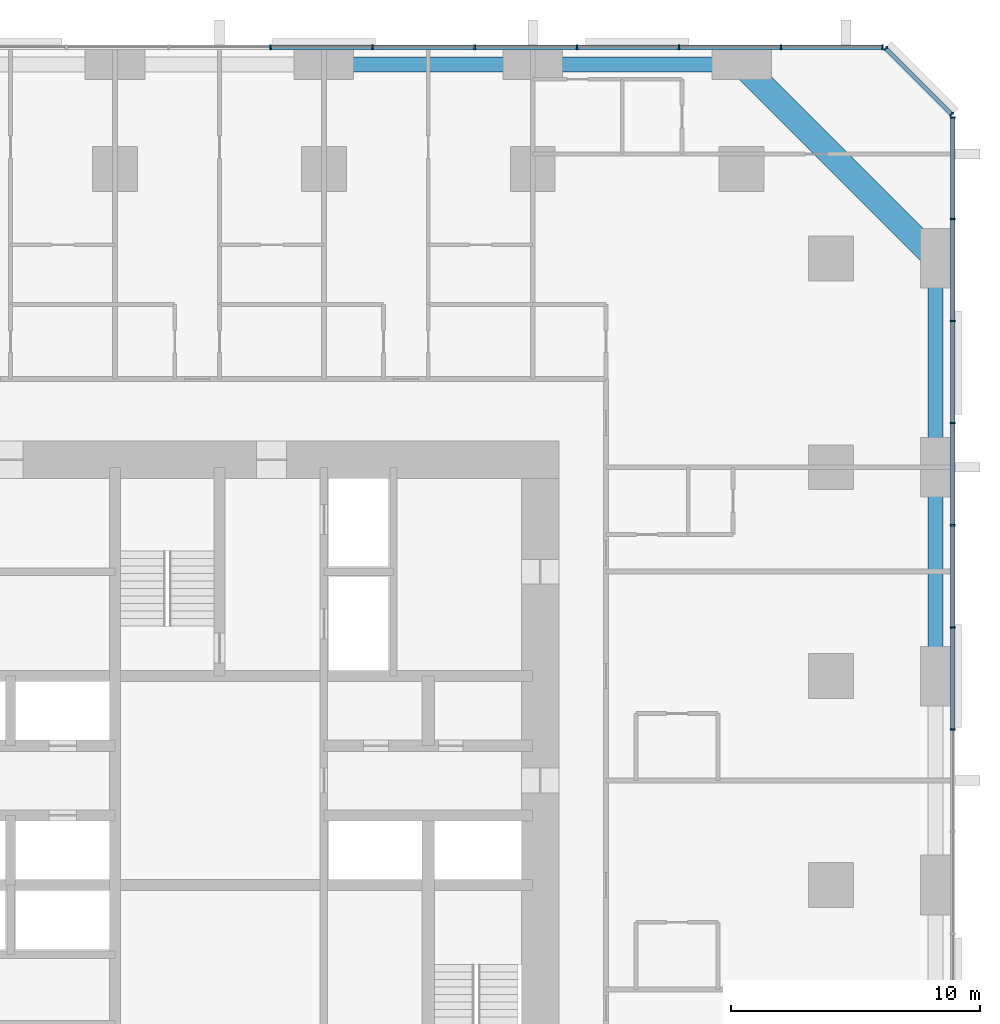
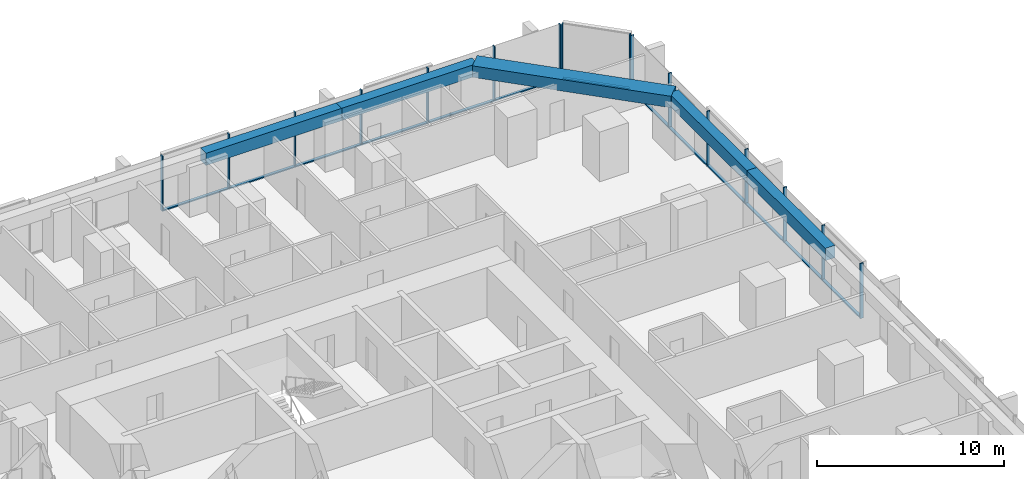
# One storey, part 8 of 17: 29 members, 5 beams, 3 elements without a shape of their own.
"""IFC4 building model written with IfcOpenShell, lengths in metres."""

import ifcopenshell
import ifcopenshell.guid

model = None  # the IFC model being written
_history = None  # IfcOwnerHistory: only IFC2X3 demands one
_inside = {}  # id of a spatial element -> (the spatial element, [elements in it])
_under = {}  # id of a project, library or spatial element -> (it, [spatial elements below it])
_declared = {}  # id of a project -> (the project, [libraries it declares])
_typed = {}  # id of a type object -> (the type object, [elements of that type])
_made_of = {}  # id of a material, layer set ... -> (it, [elements and type objects made of it])


def new_model(schema):
    """Start an empty IFC model of exactly this schema.

    Asked for "IFC4X3", IfcOpenShell would pick the latest addendum, in which some entities
    have other attributes; the version numbers below select the first issue.
    IFC2X3 requires an IfcOwnerHistory on every rooted entity: one is made here for all.
    """
    global model, _history
    if schema == "IFC4X3":
        model = ifcopenshell.file(schema_version=(4, 3, 0, 0))
    else:
        model = ifcopenshell.file(schema=schema)
    _inside.clear()
    _under.clear()
    _declared.clear()
    _typed.clear()
    _made_of.clear()
    _history = None
    if model.schema == "IFC2X3":
        org = make("IfcOrganization", Name="unknown")
        user = make(
            "IfcPersonAndOrganization",
            ThePerson=make("IfcPerson", FamilyName="unknown"),
            TheOrganization=org,
        )
        app = make(
            "IfcApplication",
            ApplicationDeveloper=org,
            Version="unknown",
            ApplicationFullName="unknown",
            ApplicationIdentifier="unknown",
        )
        _history = make(
            "IfcOwnerHistory",
            OwningUser=user,
            OwningApplication=app,
            ChangeAction="ADDED",
            CreationDate=0,
        )
    return model


def make(cls, **values):
    """One entity of the class cls with the attributes given. An attribute that is None is left unset."""
    return model.create_entity(
        cls, **{name: value for name, value in values.items() if value is not None}
    )


def rooted(cls, **values):
    """An entity with a GlobalId (a new one), such as an element, a storey or a relation."""
    return make(cls, GlobalId=ifcopenshell.guid.new(), OwnerHistory=_history, **values)


def si_unit(unit_type, name, prefix=None):
    """IfcSIUnit, for example si_unit("LENGTHUNIT", "METRE", prefix="MILLI")."""
    return make("IfcSIUnit", UnitType=unit_type, Prefix=prefix, Name=name)


def assignment(units):
    """IfcUnitAssignment: the units of a project."""
    return None if units is None else make("IfcUnitAssignment", Units=units)


def point(xyz):
    """IfcCartesianPoint."""
    return None if xyz is None else make("IfcCartesianPoint", Coordinates=xyz)


def direction(xyz):
    """IfcDirection."""
    return None if xyz is None else make("IfcDirection", DirectionRatios=xyz)


def frame(location, z_axis=None, x_axis=None):
    """IfcAxis2Placement3D, a coordinate frame: its origin and axes. An axis left out is left unset."""
    return make(
        "IfcAxis2Placement3D",
        Location=point(location),
        Axis=direction(z_axis),
        RefDirection=direction(x_axis),
    )


def frame_2d(location, x_axis=None):
    """IfcAxis2Placement2D, a coordinate frame in the plane: its origin and x axis."""
    return make(
        "IfcAxis2Placement2D", Location=point(location), RefDirection=direction(x_axis)
    )


def origin():
    """The frame at (0, 0, 0) with its axes left unset."""
    return frame((0.0, 0.0, 0.0))


def origin_2d():
    """The frame at (0, 0) in the plane with its x axis left unset."""
    return frame_2d((0.0, 0.0))


def place(relative_to, where):
    """IfcLocalPlacement: puts the frame where relative to a parent placement (None: the world)."""
    return make(
        "IfcLocalPlacement", PlacementRelTo=relative_to, RelativePlacement=where
    )


def context(
    kind, dimensions, precision=None, world=None, true_north=None, identifier=None
):
    """IfcGeometricRepresentationContext, for example the 3D "Model" context."""
    return make(
        "IfcGeometricRepresentationContext",
        ContextIdentifier=identifier,
        ContextType=kind,
        CoordinateSpaceDimension=dimensions,
        Precision=precision,
        WorldCoordinateSystem=world,
        TrueNorth=true_north,
    )


def subcontext(parent, identifier, kind, view, scale=None):
    """IfcGeometricRepresentationSubContext, for example "Body" below "Model"."""
    return make(
        "IfcGeometricRepresentationSubContext",
        ContextIdentifier=identifier,
        ContextType=kind,
        ParentContext=parent,
        TargetScale=scale,
        TargetView=view,
    )


def project(units=None, contexts=None):
    """IfcProject with its units and contexts."""
    return rooted(
        "IfcProject",
        Name="project",
        RepresentationContexts=contexts,
        UnitsInContext=assignment(units),
    )


def spatial(cls, under=None, at=None, **own):
    """A site, building, storey or space (cls), placed at a placement, below another one or the project."""
    s = rooted(cls, ObjectPlacement=at, **own)
    if under is not None:
        _under.setdefault(under.id(), (under, []))[1].append(s)
    return s


def profile(cls, at=None, kind="AREA", **sizes):
    """A parametric profile (cls). Its sizes go by their IFC names, for example OverallWidth=200.0."""
    return make(cls, ProfileType=kind, Position=at, **sizes)


def rectangle(**sizes):
    """IfcRectangleProfileDef."""
    return profile("IfcRectangleProfileDef", **sizes)


def extrude(swept, where, along, depth):
    """IfcExtrudedAreaSolid: the profile swept, set in the frame where, extruded along a direction by depth."""
    return make(
        "IfcExtrudedAreaSolid",
        SweptArea=swept,
        Position=where,
        ExtrudedDirection=direction(along),
        Depth=depth,
    )


def shape(context_of_items, identifier, shape_type, items):
    """IfcShapeRepresentation: the items that make up one representation, for example the "Body"."""
    return make(
        "IfcShapeRepresentation",
        ContextOfItems=context_of_items,
        RepresentationIdentifier=identifier,
        RepresentationType=shape_type,
        Items=items,
    )


def material(Name=None, Category=None):
    """IfcMaterial."""
    return make("IfcMaterial", Name=Name, Category=Category)


def material_profile(
    of_material, cross_section, Name=None, Category=None, Priority=None
):
    """IfcMaterialProfile: a cross section and its material."""
    return make(
        "IfcMaterialProfile",
        Name=Name,
        Material=of_material,
        Profile=cross_section,
        Priority=Priority,
        Category=Category,
    )


def profile_set(profiles, Name=None, composite=None):
    """IfcMaterialProfileSet."""
    return make(
        "IfcMaterialProfileSet",
        Name=Name,
        MaterialProfiles=profiles,
        CompositeProfile=composite,
    )


def made_of(thing, what):
    """Note that an element or type object is made of a material, layer set ...; save() writes the relation."""
    if what is not None:
        _made_of.setdefault(what.id(), (what, []))[1].append(thing)
    return thing


def type_object(cls, material=None, **own):
    """A type object (cls), such as IfcWallType, which elements share."""
    return made_of(rooted(cls, **own), material)


def element(
    cls,
    number,
    at=None,
    inside=None,
    cuts=None,
    type_object=None,
    material=None,
    context=None,
    identifier="Body",
    shape_type=None,
    held_by="IfcProductDefinitionShape",
    body=None,
    shapes=None,
    **own,
):
    """One element of the class cls, such as IfcWall. Its Tag is "e" and its number.

    at: its placement. inside: the storey or other place that contains it. cuts: it is an
    opening in that element (IfcRelVoidsElement). A single representation is given by context,
    identifier, shape_type and body (its items); several are given by shapes. held_by: the class
    of the entity that holds the representations. save() writes the other relations.
    """
    e = rooted(cls, Tag="e%d" % number, ObjectPlacement=at, **own)
    if body is not None:
        shapes = [shape(context, identifier, shape_type, body)]
    if shapes is not None:
        e.Representation = make(held_by, Representations=shapes)
    if inside is not None:
        _inside.setdefault(inside.id(), (inside, []))[1].append(e)
    if cuts is not None:
        rooted(
            "IfcRelVoidsElement", RelatingBuildingElement=cuts, RelatedOpeningElement=e
        )
    if type_object is not None:
        _typed.setdefault(type_object.id(), (type_object, []))[1].append(e)
    return made_of(e, material)


def aggregate(whole, parts):
    """IfcRelAggregates: a whole, such as a stair, and the parts it consists of."""
    return rooted("IfcRelAggregates", RelatingObject=whole, RelatedObjects=parts)


def save(model, path):
    """Write the relations noted so far, then the file.

    IfcRelAggregates (storeys below a building ...), IfcRelContainedInSpatialStructure (elements
    in a storey), IfcRelDefinesByType, IfcRelAssociatesMaterial and IfcRelDeclares: one each for
    every whole, place, type object, material and project.
    """
    for whole, parts in _under.values():
        aggregate(whole, parts)
    for where, things in _inside.values():
        rooted(
            "IfcRelContainedInSpatialStructure",
            RelatedElements=things,
            RelatingStructure=where,
        )
    for kind, things in _typed.values():
        rooted("IfcRelDefinesByType", RelatedObjects=things, RelatingType=kind)
    for what, things in _made_of.values():
        rooted("IfcRelAssociatesMaterial", RelatedObjects=things, RelatingMaterial=what)
    for by, libraries in _declared.values():
        rooted("IfcRelDeclares", RelatingContext=by, RelatedDefinitions=libraries)
    model.write(path)


model = new_model("IFC4")

# Units and contexts
model_context = context("Model", 3, precision=1e-05, world=origin(), true_north=direction((0.0, 1.0)))
body_context = subcontext(model_context, "Body", "Model", "MODEL_VIEW")
ifc_project = project(units=[si_unit("LENGTHUNIT", "METRE"), si_unit("AREAUNIT", "SQUARE_METRE"), si_unit("VOLUMEUNIT", "CUBIC_METRE"), si_unit("PLANEANGLEUNIT", "RADIAN"), si_unit("MASSUNIT", "GRAM", prefix="KILO")], contexts=[model_context])

# Site, building, storey
site_placement = place(None, origin())
site = spatial("IfcSite", under=ifc_project, at=site_placement, CompositionType="ELEMENT")
building_placement = place(site_placement, origin())
building = spatial("IfcBuilding", under=site, at=building_placement, Name="Dunama Terrace Hotel", CompositionType="ELEMENT")
storey_placement = place(building_placement, frame((0.0, 0.0, 52.199951171875)))
storey = spatial("IfcBuildingStorey", under=building, at=storey_placement, Name="L12", CompositionType="ELEMENT", Elevation=52.199951171875)

# Curtain wall, members
ifc_material_1 = material(Name="Aluminium curtain wall system", Category="aluminium")
curtain_wall_type = type_object("IfcCurtainWallType", Name="Unitised fritted glass wall CW-A", PredefinedType="NOTDEFINED", material=ifc_material_1)
curtain_wall_1_placement = place(storey_placement, origin())
curtain_wall_1 = element("IfcCurtainWall", 1, at=curtain_wall_1_placement, inside=storey, type_object=curtain_wall_type, Name="Unitised fritted glass wall CW-A L12", PredefinedType="NOTDEFINED")
ifc_material_2 = material(Name="Aluminium mullion", Category="aluminium")
ifc_material_profile_1 = material_profile(ifc_material_2, rectangle(XDim=0.06494140625, YDim=0.199951171875, at=origin_2d()), Name="CWA MULLION 65X200")
ifc_profile_set_1 = profile_set([ifc_material_profile_1], Name="Aluminium mullion")
member_type_1 = type_object("IfcMemberType", Name="CWA mullion 65x200", PredefinedType="MULLION", material=ifc_profile_set_1)
member_1_placement = place(storey_placement, frame((58.89990234375, 31.4541015625, 0.0), z_axis=(0.0, 0.0, 1.0), x_axis=(0.0, 1.0, 0.0)))
member_1 = element("IfcMember", 2, at=member_1_placement, type_object=member_type_1, Name="CWA mullion", PredefinedType="MULLION", context=body_context, shape_type="SweptSolid", body=[
    extrude(rectangle(XDim=0.06494140625, YDim=0.199951171875, at=origin_2d()), origin(), (0.0, 0.0, 1.0), 3.60009765625),
])
member_2_placement = place(storey_placement, frame((58.89990234375, 35.56201171875, 0.0), z_axis=(0.0, 0.0, 1.0), x_axis=(0.0, 1.0, 0.0)))
member_2 = element("IfcMember", 3, at=member_2_placement, type_object=member_type_1, Name="CWA mullion", PredefinedType="MULLION", context=body_context, shape_type="SweptSolid", body=[
    extrude(rectangle(XDim=0.06494140625, YDim=0.199951171875, at=origin_2d()), origin(), (0.0, 0.0, 1.0), 3.60009765625),
])
member_3_placement = place(storey_placement, frame((58.89990234375, 39.6689453125, 0.0), z_axis=(0.0, 0.0, 1.0), x_axis=(0.0, 1.0, 0.0)))
member_3 = element("IfcMember", 4, at=member_3_placement, type_object=member_type_1, Name="CWA mullion", PredefinedType="MULLION", context=body_context, shape_type="SweptSolid", body=[
    extrude(rectangle(XDim=0.06494140625, YDim=0.199951171875, at=origin_2d()), origin(), (0.0, 0.0, 1.0), 3.60009765625),
])
member_4_placement = place(storey_placement, frame((58.89990234375, 43.777099609375, 0.0), z_axis=(0.0, 0.0, 1.0), x_axis=(0.0, 1.0, 0.0)))
member_4 = element("IfcMember", 5, at=member_4_placement, type_object=member_type_1, Name="CWA mullion", PredefinedType="MULLION", context=body_context, shape_type="SweptSolid", body=[
    extrude(rectangle(XDim=0.06494140625, YDim=0.199951171875, at=origin_2d()), origin(), (0.0, 0.0, 1.0), 3.60009765625),
])
member_5_placement = place(storey_placement, frame((58.89990234375, 47.885009765625, 0.0), z_axis=(0.0, 0.0, 1.0), x_axis=(0.0, 1.0, 0.0)))
member_5 = element("IfcMember", 6, at=member_5_placement, type_object=member_type_1, Name="CWA mullion", PredefinedType="MULLION", context=body_context, shape_type="SweptSolid", body=[
    extrude(rectangle(XDim=0.06494140625, YDim=0.199951171875, at=origin_2d()), origin(), (0.0, 0.0, 1.0), 3.60009765625),
])
member_6_placement = place(storey_placement, frame((58.89990234375, 51.991943359375, 0.0), z_axis=(0.0, 0.0, 1.0), x_axis=(0.0, 1.0, 0.0)))
member_6 = element("IfcMember", 7, at=member_6_placement, type_object=member_type_1, Name="CWA mullion", PredefinedType="MULLION", context=body_context, shape_type="SweptSolid", body=[
    extrude(rectangle(XDim=0.06494140625, YDim=0.199951171875, at=origin_2d()), origin(), (0.0, 0.0, 1.0), 3.60009765625),
])
member_7_placement = place(storey_placement, frame((58.89990234375, 56.06689453125, 0.0), z_axis=(0.0, 0.0, 1.0), x_axis=(0.0, 1.0, 0.0)))
member_7 = element("IfcMember", 8, at=member_7_placement, type_object=member_type_1, Name="CWA mullion", PredefinedType="MULLION", context=body_context, shape_type="SweptSolid", body=[
    extrude(rectangle(XDim=0.06494140625, YDim=0.199951171875, at=origin_2d()), origin(), (0.0, 0.0, 1.0), 3.60009765625),
])

curtain_wall_2_placement = place(storey_placement, origin())
curtain_wall_2 = element("IfcCurtainWall", 9, at=curtain_wall_2_placement, inside=storey, type_object=curtain_wall_type, Name="Unitised fritted glass wall CW-A L12", PredefinedType="NOTDEFINED")
member_8_placement = place(storey_placement, frame((58.847900390625, 56.194091796875, 0.0), z_axis=(0.0, 0.0, 1.0), x_axis=(-0.707106781187, 0.707106781187, 0.0)))
member_8 = element("IfcMember", 10, at=member_8_placement, type_object=member_type_1, Name="CWA mullion", PredefinedType="MULLION", context=body_context, shape_type="SweptSolid", body=[
    extrude(rectangle(XDim=0.06494140625, YDim=0.199951171875, at=origin_2d()), origin(), (0.0, 0.0, 1.0), 3.60009765625),
])
member_9_placement = place(storey_placement, frame((56.194091796875, 58.847900390625, 0.0), z_axis=(0.0, 0.0, 1.0), x_axis=(-0.707106781187, 0.707106781187, 0.0)))
member_9 = element("IfcMember", 11, at=member_9_placement, type_object=member_type_1, Name="CWA mullion", PredefinedType="MULLION", context=body_context, shape_type="SweptSolid", body=[
    extrude(rectangle(XDim=0.06494140625, YDim=0.199951171875, at=origin_2d()), origin(), (0.0, 0.0, 1.0), 3.60009765625),
])

curtain_wall_3_placement = place(storey_placement, origin())
curtain_wall_3 = element("IfcCurtainWall", 12, at=curtain_wall_3_placement, inside=storey, type_object=curtain_wall_type, Name="Unitised fritted glass wall CW-A L12", PredefinedType="NOTDEFINED")
member_10_placement = place(storey_placement, frame((56.06689453125, 58.89990234375, 0.0), z_axis=(0.0, 0.0, 1.0), x_axis=(-1.0, 0.0, 0.0)))
member_10 = element("IfcMember", 13, at=member_10_placement, type_object=member_type_1, Name="CWA mullion", PredefinedType="MULLION", context=body_context, shape_type="SweptSolid", body=[
    extrude(rectangle(XDim=0.06494140625, YDim=0.199951171875, at=origin_2d()), origin(), (0.0, 0.0, 1.0), 3.60009765625),
])
member_11_placement = place(storey_placement, frame((51.991943359375, 58.89990234375, 0.0), z_axis=(0.0, 0.0, 1.0), x_axis=(-1.0, 0.0, 0.0)))
member_11 = element("IfcMember", 14, at=member_11_placement, type_object=member_type_1, Name="CWA mullion", PredefinedType="MULLION", context=body_context, shape_type="SweptSolid", body=[
    extrude(rectangle(XDim=0.06494140625, YDim=0.199951171875, at=origin_2d()), origin(), (0.0, 0.0, 1.0), 3.60009765625),
])
member_12_placement = place(storey_placement, frame((47.885009765625, 58.89990234375, 0.0), z_axis=(0.0, 0.0, 1.0), x_axis=(-1.0, 0.0, 0.0)))
member_12 = element("IfcMember", 15, at=member_12_placement, type_object=member_type_1, Name="CWA mullion", PredefinedType="MULLION", context=body_context, shape_type="SweptSolid", body=[
    extrude(rectangle(XDim=0.06494140625, YDim=0.199951171875, at=origin_2d()), origin(), (0.0, 0.0, 1.0), 3.60009765625),
])
member_13_placement = place(storey_placement, frame((43.777099609375, 58.89990234375, 0.0), z_axis=(0.0, 0.0, 1.0), x_axis=(-1.0, 0.0, 0.0)))
member_13 = element("IfcMember", 16, at=member_13_placement, type_object=member_type_1, Name="CWA mullion", PredefinedType="MULLION", context=body_context, shape_type="SweptSolid", body=[
    extrude(rectangle(XDim=0.06494140625, YDim=0.199951171875, at=origin_2d()), origin(), (0.0, 0.0, 1.0), 3.60009765625),
])
member_14_placement = place(storey_placement, frame((39.6689453125, 58.89990234375, 0.0), z_axis=(0.0, 0.0, 1.0), x_axis=(-1.0, 0.0, 0.0)))
member_14 = element("IfcMember", 17, at=member_14_placement, type_object=member_type_1, Name="CWA mullion", PredefinedType="MULLION", context=body_context, shape_type="SweptSolid", body=[
    extrude(rectangle(XDim=0.06494140625, YDim=0.199951171875, at=origin_2d()), origin(), (0.0, 0.0, 1.0), 3.60009765625),
])
member_15_placement = place(storey_placement, frame((35.56201171875, 58.89990234375, 0.0), z_axis=(0.0, 0.0, 1.0), x_axis=(-1.0, 0.0, 0.0)))
member_15 = element("IfcMember", 18, at=member_15_placement, type_object=member_type_1, Name="CWA mullion", PredefinedType="MULLION", context=body_context, shape_type="SweptSolid", body=[
    extrude(rectangle(XDim=0.06494140625, YDim=0.199951171875, at=origin_2d()), origin(), (0.0, 0.0, 1.0), 3.60009765625),
])
member_16_placement = place(storey_placement, frame((31.4541015625, 58.89990234375, 0.0), z_axis=(0.0, 0.0, 1.0), x_axis=(-1.0, 0.0, 0.0)))
member_16 = element("IfcMember", 19, at=member_16_placement, type_object=member_type_1, Name="CWA mullion", PredefinedType="MULLION", context=body_context, shape_type="SweptSolid", body=[
    extrude(rectangle(XDim=0.06494140625, YDim=0.199951171875, at=origin_2d()), origin(), (0.0, 0.0, 1.0), 3.60009765625),
])

# Member
ifc_material_3 = material(Name="Aluminium transom", Category="aluminium")
ifc_material_profile_2 = material_profile(ifc_material_3, rectangle(XDim=0.179931640625, YDim=0.074951171875, at=origin_2d()), Name="CWA TRANSOM 180X75")
ifc_profile_set_2 = profile_set([ifc_material_profile_2], Name="Aluminium transom")
member_type_2 = type_object("IfcMemberType", Name="CWA transom 180x75", PredefinedType="USERDEFINED", material=ifc_profile_set_2)
member_17_placement = place(storey_placement, frame((58.89990234375, 31.486083984375, 0.03759765625), z_axis=(0.0, 1.0, 0.0), x_axis=(-1.0, 0.0, 0.0)))
member_17 = element("IfcMember", 20, at=member_17_placement, type_object=member_type_2, Name="CWA transom", ObjectType="TRANSOM", PredefinedType="USERDEFINED", context=body_context, shape_type="SweptSolid", body=[
    extrude(rectangle(XDim=0.179931640625, YDim=0.074951171875, at=origin_2d()), origin(), (0.0, 0.0, 1.0), 4.04296875),
])

member_18_placement = place(storey_placement, frame((58.89990234375, 35.593994140625, 0.03759765625), z_axis=(0.0, 1.0, 0.0), x_axis=(-1.0, 0.0, 0.0)))
member_18 = element("IfcMember", 21, at=member_18_placement, type_object=member_type_2, Name="CWA transom", ObjectType="TRANSOM", PredefinedType="USERDEFINED", context=body_context, shape_type="SweptSolid", body=[
    extrude(rectangle(XDim=0.179931640625, YDim=0.074951171875, at=origin_2d()), origin(), (0.0, 0.0, 1.0), 4.04296875),
])

member_19_placement = place(storey_placement, frame((58.89990234375, 39.701904296875, 0.03759765625), z_axis=(0.0, 1.0, 0.0), x_axis=(-1.0, 0.0, 0.0)))
member_19 = element("IfcMember", 22, at=member_19_placement, type_object=member_type_2, Name="CWA transom", ObjectType="TRANSOM", PredefinedType="USERDEFINED", context=body_context, shape_type="SweptSolid", body=[
    extrude(rectangle(XDim=0.179931640625, YDim=0.074951171875, at=origin_2d()), origin(), (0.0, 0.0, 1.0), 4.0419921875),
])

member_20_placement = place(storey_placement, frame((58.89990234375, 43.80908203125, 0.03759765625), z_axis=(0.0, 1.0, 0.0), x_axis=(-1.0, 0.0, 0.0)))
member_20 = element("IfcMember", 23, at=member_20_placement, type_object=member_type_2, Name="CWA transom", ObjectType="TRANSOM", PredefinedType="USERDEFINED", context=body_context, shape_type="SweptSolid", body=[
    extrude(rectangle(XDim=0.179931640625, YDim=0.074951171875, at=origin_2d()), origin(), (0.0, 0.0, 1.0), 4.04296875),
])

member_21_placement = place(storey_placement, frame((58.89990234375, 47.9169921875, 0.03759765625), z_axis=(0.0, 1.0, 0.0), x_axis=(-1.0, 0.0, 0.0)))
member_21 = element("IfcMember", 24, at=member_21_placement, type_object=member_type_2, Name="CWA transom", ObjectType="TRANSOM", PredefinedType="USERDEFINED", context=body_context, shape_type="SweptSolid", body=[
    extrude(rectangle(XDim=0.179931640625, YDim=0.074951171875, at=origin_2d()), origin(), (0.0, 0.0, 1.0), 4.04296875),
])

member_22_placement = place(storey_placement, frame((58.89990234375, 52.02490234375, 0.03759765625), z_axis=(0.0, 1.0, 0.0), x_axis=(-1.0, 0.0, 0.0)))
member_22 = element("IfcMember", 25, at=member_22_placement, type_object=member_type_2, Name="CWA transom", ObjectType="TRANSOM", PredefinedType="USERDEFINED", context=body_context, shape_type="SweptSolid", body=[
    extrude(rectangle(XDim=0.179931640625, YDim=0.074951171875, at=origin_2d()), origin(), (0.0, 0.0, 1.0), 4.010009765625),
])

aggregate(curtain_wall_1, [member_1, member_2, member_3, member_4, member_5, member_6, member_7, member_17, member_18, member_19, member_20, member_21, member_22])

member_23_placement = place(storey_placement, frame((58.824951171875, 56.217041015625, 0.03759765625), z_axis=(-0.707106781187, 0.707106781187, 0.0), x_axis=(-0.707106781187, -0.707106781187, 0.0)))
member_23 = element("IfcMember", 26, at=member_23_placement, type_object=member_type_2, Name="CWA transom", ObjectType="TRANSOM", PredefinedType="USERDEFINED", context=body_context, shape_type="SweptSolid", body=[
    extrude(rectangle(XDim=0.179931640625, YDim=0.074951171875, at=origin_2d()), origin(), (0.0, 0.0, 1.0), 3.688232421875),
])

aggregate(curtain_wall_2, [member_8, member_9, member_23])

member_24_placement = place(storey_placement, frame((56.034912109375, 58.89990234375, 0.03759765625), z_axis=(-1.0, 0.0, 0.0), x_axis=(0.0, -1.0, 0.0)))
member_24 = element("IfcMember", 27, at=member_24_placement, type_object=member_type_2, Name="CWA transom", ObjectType="TRANSOM", PredefinedType="USERDEFINED", context=body_context, shape_type="SweptSolid", body=[
    extrude(rectangle(XDim=0.179931640625, YDim=0.074951171875, at=origin_2d()), origin(), (0.0, 0.0, 1.0), 4.010009765625),
])

member_25_placement = place(storey_placement, frame((51.9599609375, 58.89990234375, 0.03759765625), z_axis=(-1.0, 0.0, 0.0), x_axis=(0.0, -1.0, 0.0)))
member_25 = element("IfcMember", 28, at=member_25_placement, type_object=member_type_2, Name="CWA transom", ObjectType="TRANSOM", PredefinedType="USERDEFINED", context=body_context, shape_type="SweptSolid", body=[
    extrude(rectangle(XDim=0.179931640625, YDim=0.074951171875, at=origin_2d()), origin(), (0.0, 0.0, 1.0), 4.04296875),
])

member_26_placement = place(storey_placement, frame((47.85205078125, 58.89990234375, 0.03759765625), z_axis=(-1.0, 0.0, 0.0), x_axis=(0.0, -1.0, 0.0)))
member_26 = element("IfcMember", 29, at=member_26_placement, type_object=member_type_2, Name="CWA transom", ObjectType="TRANSOM", PredefinedType="USERDEFINED", context=body_context, shape_type="SweptSolid", body=[
    extrude(rectangle(XDim=0.179931640625, YDim=0.074951171875, at=origin_2d()), origin(), (0.0, 0.0, 1.0), 4.04296875),
])

member_27_placement = place(storey_placement, frame((43.743896484375, 58.89990234375, 0.03759765625), z_axis=(-1.0, 0.0, 0.0), x_axis=(0.0, -1.0, 0.0)))
member_27 = element("IfcMember", 30, at=member_27_placement, type_object=member_type_2, Name="CWA transom", ObjectType="TRANSOM", PredefinedType="USERDEFINED", context=body_context, shape_type="SweptSolid", body=[
    extrude(rectangle(XDim=0.179931640625, YDim=0.074951171875, at=origin_2d()), origin(), (0.0, 0.0, 1.0), 4.0419921875),
])

member_28_placement = place(storey_placement, frame((39.636962890625, 58.89990234375, 0.03759765625), z_axis=(-1.0, 0.0, 0.0), x_axis=(0.0, -1.0, 0.0)))
member_28 = element("IfcMember", 31, at=member_28_placement, type_object=member_type_2, Name="CWA transom", ObjectType="TRANSOM", PredefinedType="USERDEFINED", context=body_context, shape_type="SweptSolid", body=[
    extrude(rectangle(XDim=0.179931640625, YDim=0.074951171875, at=origin_2d()), origin(), (0.0, 0.0, 1.0), 4.04296875),
])

member_29_placement = place(storey_placement, frame((35.529052734375, 58.89990234375, 0.03759765625), z_axis=(-1.0, 0.0, 0.0), x_axis=(0.0, -1.0, 0.0)))
member_29 = element("IfcMember", 32, at=member_29_placement, type_object=member_type_2, Name="CWA transom", ObjectType="TRANSOM", PredefinedType="USERDEFINED", context=body_context, shape_type="SweptSolid", body=[
    extrude(rectangle(XDim=0.179931640625, YDim=0.074951171875, at=origin_2d()), origin(), (0.0, 0.0, 1.0), 4.04296875),
])

aggregate(curtain_wall_3, [member_10, member_11, member_12, member_13, member_14, member_15, member_16, member_24, member_25, member_26, member_27, member_28, member_29])

# Beams
ifc_material_4 = material(Name="Concrete C50/60", Category="concrete")
ifc_material_profile_3 = material_profile(ifc_material_4, rectangle(XDim=1.0, YDim=0.75, at=origin_2d()), Name="RC 1000x750")
ifc_profile_set_3 = profile_set([ifc_material_profile_3], Name="Concrete C50/60")
beam_type_1 = type_object("IfcBeamType", Name="Edge beam RC 1000x750", PredefinedType="SPANDREL", material=ifc_profile_set_3)
beam_placement = place(storey_placement, frame((50.39990234375, 58.199951171875, 3.22509765625), z_axis=(0.707106781187, -0.707106781187, 0.0), x_axis=(0.707106781187, 0.707106781187, 0.0)))
element("IfcBeam", 33, at=beam_placement, inside=storey, type_object=beam_type_1, Name="Corner edge beam under L13", PredefinedType="SPANDREL", context=body_context, shape_type="SweptSolid", body=[
    extrude(rectangle(XDim=1.0, YDim=0.75, at=origin_2d()), origin(), (0.0, 0.0, 1.0), 11.031005859375),
])
ifc_material_5 = material(Name="Concrete C40/50", Category="concrete")
ifc_material_profile_4 = material_profile(ifc_material_5, rectangle(XDim=0.60009765625, YDim=0.800048828125, at=origin_2d()), Name="RC 600x800")
ifc_profile_set_4 = profile_set([ifc_material_profile_4], Name="Concrete C40/50")
beam_type_2 = type_object("IfcBeamType", Name="Edge beam RC 600x800", PredefinedType="SPANDREL", material=ifc_profile_set_4)
for number, where, z_axis, x_axis, name in (
    (34, (58.199951171875, 33.60009765625, 3.199951171875), (0.0, 1.0, 0.0), (-1.0, 0.0, 0.0), "Edge beam under L13"),
    (35, (58.199951171875, 42.0, 3.199951171875), (0.0, 1.0, 0.0), (-1.0, 0.0, 0.0), "Edge beam under L13"),
    (36, (33.60009765625, 58.199951171875, 3.199951171875), (1.0, 0.0, 0.0), (0.0, 1.0, 0.0), "Edge beam under L13"),
    (37, (42.0, 58.199951171875, 3.199951171875), (1.0, 0.0, 0.0), (0.0, 1.0, 0.0), "Edge beam under L13"),
):
    element("IfcBeam", number, at=place(storey_placement, frame(where, z_axis=z_axis, x_axis=x_axis)), inside=storey, type_object=beam_type_2, Name=name, PredefinedType="SPANDREL", context=body_context, shape_type="SweptSolid", body=[
        extrude(rectangle(XDim=0.60009765625, YDim=0.800048828125, at=origin_2d()), origin(), (0.0, 0.0, 1.0), 8.39990234375),
    ])

save(model, "model.ifc")
